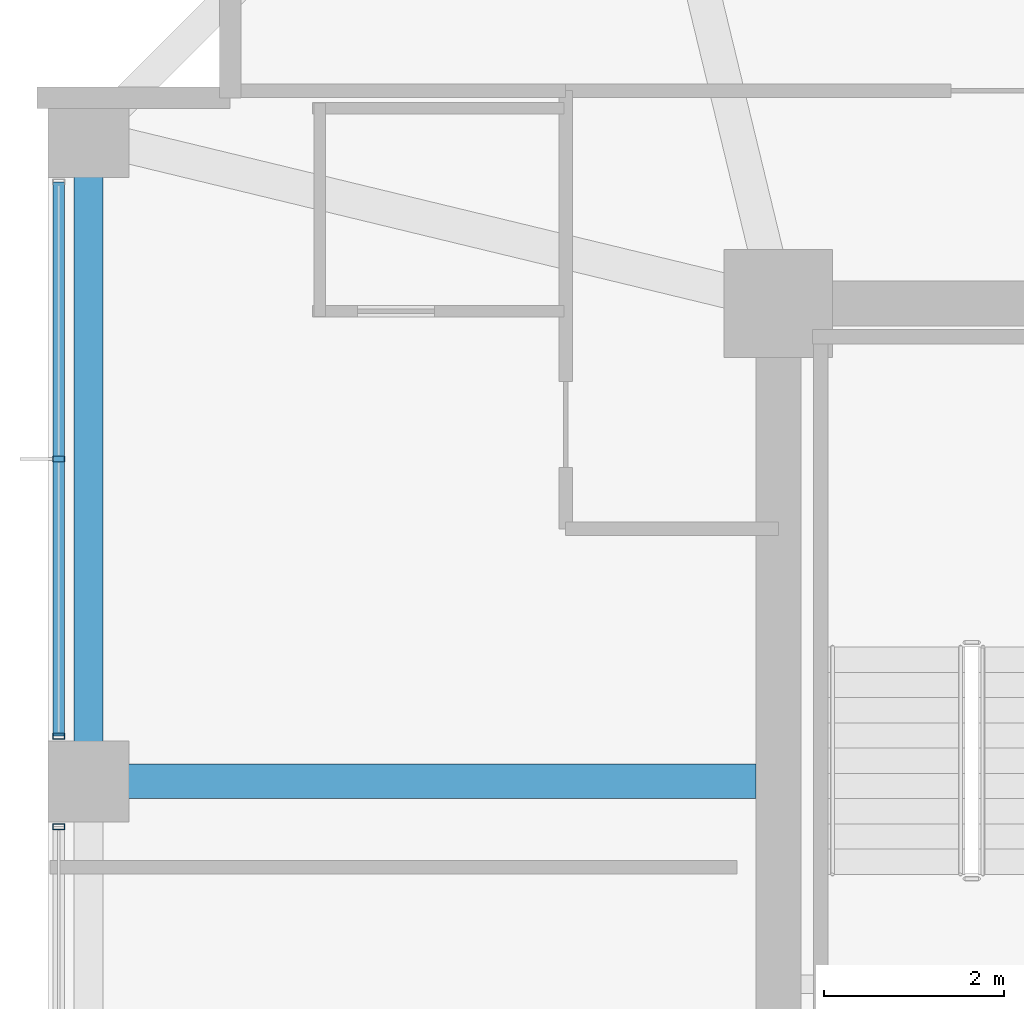
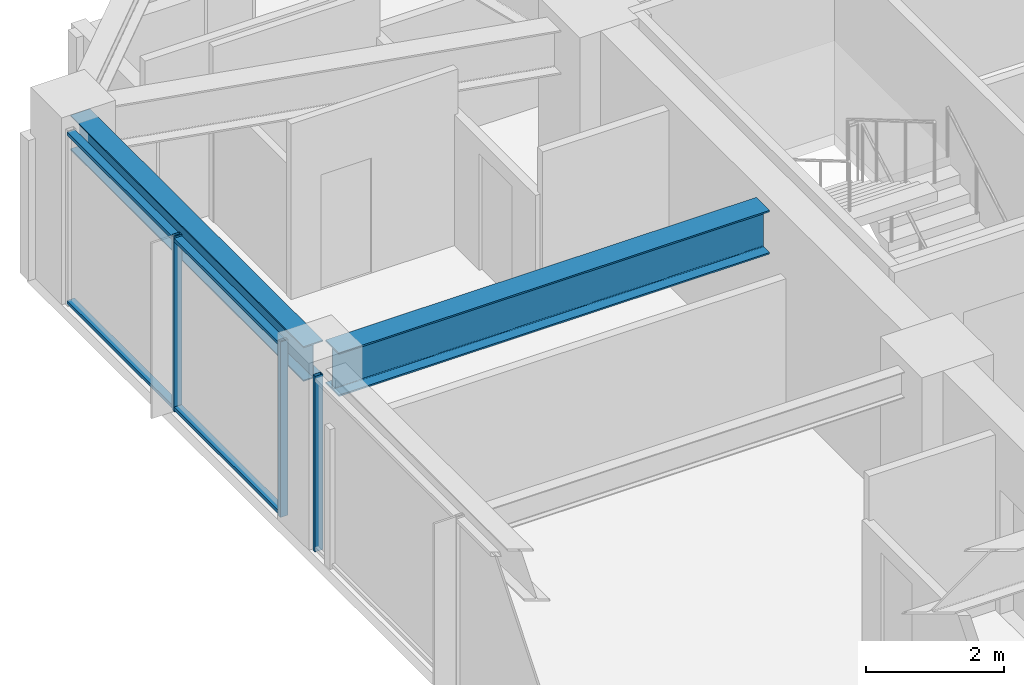
# One storey, part 11 of 31: 5 members, 2 beams, 2 elements without a shape of their own.
"""IFC4 building model written with IfcOpenShell, lengths in metres."""

from ifc_helpers import new_model, si_unit, direction, frame, origin, origin_2d, place, context, subcontext, project, spatial, hollow_rectangle, i_section, extrude, material, material_profile, profile_set, type_object, element, aggregate, save


model = new_model("IFC4")

# Units and contexts
model_context = context("Model", 3, precision=1e-05, world=origin(), true_north=direction((0.0, 1.0)))
body_context = subcontext(model_context, "Body", "Model", "MODEL_VIEW")
ifc_project = project(units=[si_unit("LENGTHUNIT", "METRE"), si_unit("AREAUNIT", "SQUARE_METRE"), si_unit("VOLUMEUNIT", "CUBIC_METRE"), si_unit("PLANEANGLEUNIT", "RADIAN"), si_unit("MASSUNIT", "GRAM", prefix="KILO")], contexts=[model_context])

# Site, building, storey
site_placement = place(None, origin())
site = spatial("IfcSite", under=ifc_project, at=site_placement, CompositionType="ELEMENT")
building_placement = place(site_placement, origin())
building = spatial("IfcBuilding", under=site, at=building_placement, Name="Kolvaren Belvedere", CompositionType="ELEMENT")
storey_placement = place(building_placement, frame((0.0, 0.0, 131.60009765625)))
storey = spatial("IfcBuildingStorey", under=building, at=storey_placement, Name="L38", CompositionType="ELEMENT", Elevation=131.60009765625)

# Beams
ifc_material_1 = material(Name="Structural steel ASTM A992 Grade 50", Category="steel")
ifc_material_profile_1 = material_profile(ifc_material_1, i_section(OverallWidth=0.381103515625, OverallDepth=0.77294921875, WebThickness=0.0166015625, FlangeThickness=0.027099609375, FilletRadius=0.02392578125, at=origin_2d()), Name="W30X173")
ifc_profile_set_1 = profile_set([ifc_material_profile_1], Name="Structural steel ASTM A992 Grade 50")
beam_type_1 = type_object("IfcBeamType", Name="BM-GIRD-W30X173", PredefinedType="BEAM", material=ifc_profile_set_1)
beam_1_placement = place(storey_placement, frame((-10.14990234375, 4.60009765625, 2.71337890625), z_axis=(-1.0, 0.0, 0.0), x_axis=(0.0, -1.0, 0.0)))
element("IfcBeam", 1, at=beam_1_placement, inside=storey, type_object=beam_type_1, Name="L38 West Radial Girder P", PredefinedType="BEAM", context=body_context, shape_type="SweptSolid", body=[
    extrude(i_section(OverallWidth=0.381103515625, OverallDepth=0.77294921875, WebThickness=0.0166015625, FlangeThickness=0.027099609375, FilletRadius=0.02392578125, at=origin_2d()), origin(), (0.0, 0.0, 1.0), 7.197509765625),
])
ifc_material_2 = material(Name="Structural steel ASTM A992 Grade 50", Category="steel")
ifc_material_profile_2 = material_profile(ifc_material_2, i_section(OverallWidth=0.324951171875, OverallDepth=0.615966796875, WebThickness=0.013916015625, FlangeThickness=0.021484375, FilletRadius=0.02001953125, at=origin_2d()), Name="W24X117")
ifc_profile_set_2 = profile_set([ifc_material_profile_2], Name="Structural steel ASTM A992 Grade 50")
beam_type_2 = type_object("IfcBeamType", Name="BM-SPAN-W24X117", PredefinedType="SPANDREL", material=ifc_profile_set_2)
beam_2_placement = place(storey_placement, frame((-17.550048828125, 11.547607421875, 2.7919921875), z_axis=(0.0, -1.0, 0.0), x_axis=(1.0, 0.0, 0.0)))
element("IfcBeam", 2, at=beam_2_placement, inside=storey, type_object=beam_type_2, Name="L38 Perimeter Spandrel W4-W3", PredefinedType="SPANDREL", context=body_context, shape_type="SweptSolid", body=[
    extrude(i_section(OverallWidth=0.324951171875, OverallDepth=0.615966796875, WebThickness=0.013916015625, FlangeThickness=0.021484375, FilletRadius=0.02001953125, at=origin_2d()), origin(), (0.0, 0.0, 1.0), 6.7451171875),
])

# Curtain wall, member
ifc_material_3 = material(Name="Anodised pale-metal aluminium AA 6063-T6", Category="aluminium")
curtain_wall_type = type_object("IfcCurtainWallType", Name="CW-Z3-WAIST", PredefinedType="NOTDEFINED", material=ifc_material_3)
curtain_wall_1_placement = place(storey_placement, origin())
curtain_wall_1 = element("IfcCurtainWall", 3, at=curtain_wall_1_placement, inside=storey, type_object=curtain_wall_type, Name="L38 Unitised Curtain Wall FCW-L38-W-B2", PredefinedType="NOTDEFINED")
ifc_material_4 = material(Name="Anodised pale-metal aluminium AA 6063-T6", Category="aluminium")
ifc_material_profile_3 = material_profile(ifc_material_4, hollow_rectangle(XDim=0.06494140625, YDim=0.1298828125, WallThickness=0.00390625, at=origin_2d()), Name="ALU-MUL-130X65")
ifc_profile_set_3 = profile_set([ifc_material_profile_3], Name="Anodised pale-metal aluminium AA 6063-T6")
member_type_1 = type_object("IfcMemberType", Name="CW-MUL-130", PredefinedType="MULLION", material=ifc_profile_set_3)
member_1_placement = place(storey_placement, frame((-17.8798828125, 4.097412109375, 0.0), z_axis=(0.0, 0.0, 1.0), x_axis=(0.0, 1.0, 0.0)))
member_1 = element("IfcMember", 4, at=member_1_placement, type_object=member_type_1, Name="FCW-L38-W-B2 Unitised Mullion 3", PredefinedType="MULLION", context=body_context, shape_type="SweptSolid", body=[
    extrude(hollow_rectangle(XDim=0.06494140625, YDim=0.1298828125, WallThickness=0.00390625, at=origin_2d()), origin(), (0.0, 0.0, 1.0), 3.099853515625),
])
aggregate(curtain_wall_1, [member_1])

# Curtain wall, members
curtain_wall_2_placement = place(storey_placement, origin())
curtain_wall_2 = element("IfcCurtainWall", 5, at=curtain_wall_2_placement, inside=storey, type_object=curtain_wall_type, Name="L38 Unitised Curtain Wall FCW-L38-W-B3", PredefinedType="NOTDEFINED")
member_2_placement = place(storey_placement, frame((-17.8798828125, 5.1025390625, 0.0), z_axis=(0.0, 0.0, 1.0), x_axis=(0.0, 1.0, 0.0)))
member_2 = element("IfcMember", 6, at=member_2_placement, type_object=member_type_1, Name="FCW-L38-W-B3 Unitised Mullion 1", PredefinedType="MULLION", context=body_context, shape_type="SweptSolid", body=[
    extrude(hollow_rectangle(XDim=0.06494140625, YDim=0.1298828125, WallThickness=0.00390625, at=origin_2d()), origin(), (0.0, 0.0, 1.0), 3.099853515625),
])
member_3_placement = place(storey_placement, frame((-17.8798828125, 8.175048828125, 0.0), z_axis=(0.0, 0.0, 1.0), x_axis=(0.0, 1.0, 0.0)))
member_3 = element("IfcMember", 7, at=member_3_placement, type_object=member_type_1, Name="FCW-L38-W-B3 Unitised Mullion 2", PredefinedType="MULLION", context=body_context, shape_type="SweptSolid", body=[
    extrude(hollow_rectangle(XDim=0.06494140625, YDim=0.1298828125, WallThickness=0.00390625, at=origin_2d()), origin(), (0.0, 0.0, 1.0), 3.099853515625),
])
ifc_material_5 = material(Name="Anodised pale-metal aluminium AA 6063-T6", Category="aluminium")
ifc_material_profile_4 = material_profile(ifc_material_5, hollow_rectangle(XDim=0.06005859375, YDim=0.1298828125, WallThickness=0.00390625, at=origin_2d()), Name="ALU-TRN-130X60")
ifc_profile_set_4 = profile_set([ifc_material_profile_4], Name="Anodised pale-metal aluminium AA 6063-T6")
member_type_2 = type_object("IfcMemberType", Name="CW-TRN-130", PredefinedType="USERDEFINED", material=ifc_profile_set_4)
member_4_placement = place(storey_placement, frame((-17.8798828125, 5.1025390625, 0.059814453125), z_axis=(0.0, 1.0, 0.0), x_axis=(0.0, 0.0, 1.0)))
member_4 = element("IfcMember", 8, at=member_4_placement, type_object=member_type_2, Name="FCW-L38-W-B3 Sill Transom", ObjectType="TRANSOM", PredefinedType="USERDEFINED", context=body_context, shape_type="SweptSolid", body=[
    extrude(hollow_rectangle(XDim=0.06005859375, YDim=0.1298828125, WallThickness=0.00390625, at=origin_2d()), origin(), (0.0, 0.0, 1.0), 6.14501953125),
])
member_5_placement = place(storey_placement, frame((-17.8798828125, 5.1025390625, 3.039794921875), z_axis=(0.0, 1.0, 0.0), x_axis=(0.0, 0.0, 1.0)))
member_5 = element("IfcMember", 9, at=member_5_placement, type_object=member_type_2, Name="FCW-L38-W-B3 Head Transom", ObjectType="TRANSOM", PredefinedType="USERDEFINED", context=body_context, shape_type="SweptSolid", body=[
    extrude(hollow_rectangle(XDim=0.06005859375, YDim=0.1298828125, WallThickness=0.00390625, at=origin_2d()), origin(), (0.0, 0.0, 1.0), 6.14501953125),
])
aggregate(curtain_wall_2, [member_2, member_3, member_4, member_5])

save(model, "model.ifc")
